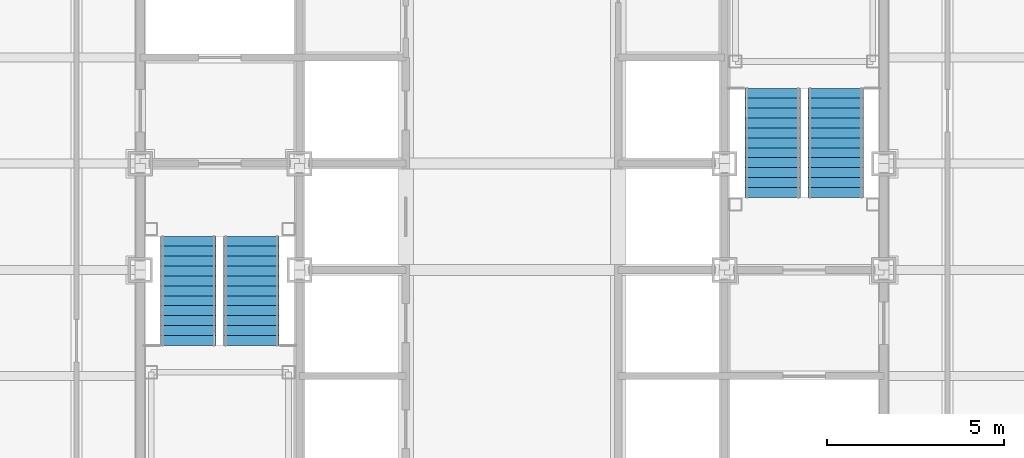
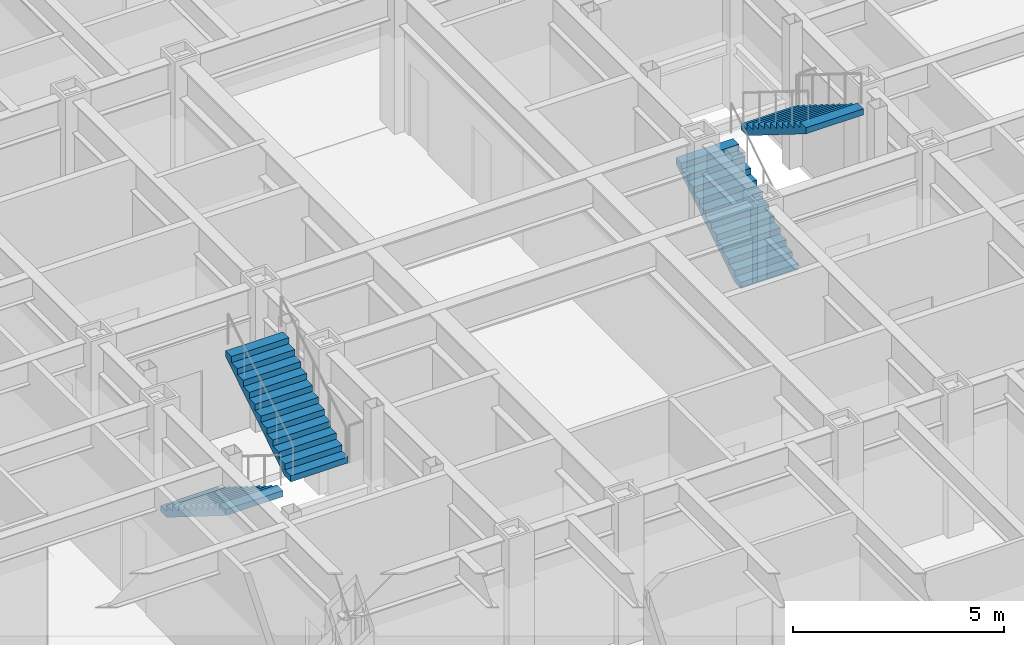
# One storey, part 13 of 16: 4 stair flights, 2 elements without a shape of their own.
"""IFC4 building model written with IfcOpenShell, lengths in metres."""

from ifc_helpers import new_model, si_unit, direction, frame, origin, place, context, subcontext, project, spatial, faceted_brep, material, type_object, element, aggregate, save


model = new_model("IFC4")

# Units and contexts
model_context = context("Model", 3, precision=1e-05, world=origin(), true_north=direction((0.0, 1.0)))
body_context = subcontext(model_context, "Body", "Model", "MODEL_VIEW")
ifc_project = project(units=[si_unit("LENGTHUNIT", "METRE"), si_unit("AREAUNIT", "SQUARE_METRE"), si_unit("VOLUMEUNIT", "CUBIC_METRE"), si_unit("PLANEANGLEUNIT", "RADIAN"), si_unit("MASSUNIT", "GRAM", prefix="KILO")], contexts=[model_context])

# Site, building, storey
site_placement = place(None, origin())
site = spatial("IfcSite", under=ifc_project, at=site_placement, CompositionType="ELEMENT")
building_placement = place(site_placement, origin())
building = spatial("IfcBuilding", under=site, at=building_placement, Name="Chuquiago Exchange Tower", CompositionType="ELEMENT")
storey_placement = place(building_placement, frame((0.0, 0.0, 123.60009765625)))
storey = spatial("IfcBuildingStorey", under=building, at=storey_placement, Name="L26", CompositionType="ELEMENT", Elevation=123.60009765625)

# Stair, stair flights
ifc_material_1 = material(Name="Concrete C30/37, precast", Category="concrete")
stair_type_1 = type_object("IfcStairType", Name="ST1 half-turn stair 4200", PredefinedType="HALF_TURN_STAIR", material=ifc_material_1)
stair_1_placement = place(storey_placement, origin())
stair_1 = element("IfcStair", 1, at=stair_1_placement, inside=storey, type_object=stair_type_1, Name="Stair ST1 L26", PredefinedType="HALF_TURN_STAIR")
ifc_material_2 = material(Name="Concrete C30/37, precast", Category="concrete")
stair_flight_type = type_object("IfcStairFlightType", Name="ST-F flight 1570 for 4200 storey", PredefinedType="STRAIGHT", material=ifc_material_2)
stair_flight_1_placement = place(storey_placement, frame((13.360107421875, 21.949951171875, 0.0), z_axis=(0.0, 0.0, 1.0), x_axis=(0.0, -1.0, 0.0)))
stair_flight_1 = element("IfcStairFlight", 2, at=stair_flight_1_placement, type_object=stair_flight_type, Name="ST1 flight 1", NumberOfRisers=12, NumberOfTreads=11, PredefinedType="STRAIGHT", RiserHeight=0.175, TreadLength=0.28, context=body_context, shape_type="Brep", body=[
    faceted_brep([(0.0, 0.78515625, 0.0), (0.0, 0.78515625, 0.175048828125), (0.280029296875, 0.78515625, 0.175048828125), (0.280029296875, 0.78515625, 0.35009765625), (0.56005859375, 0.78515625, 0.35009765625), (0.56005859375, 0.78515625, 0.52490234375), (0.840087890625, 0.78515625, 0.52490234375), (0.840087890625, 0.78515625, 0.699951171875), (1.1201171875, 0.78515625, 0.699951171875), (1.1201171875, 0.78515625, 0.875), (1.39990234375, 0.78515625, 0.875), (1.39990234375, 0.78515625, 1.050048828125), (1.679931640625, 0.78515625, 1.050048828125), (1.679931640625, 0.78515625, 1.22509765625), (1.9599609375, 0.78515625, 1.22509765625), (1.9599609375, 0.78515625, 1.39990234375), (2.239990234375, 0.78515625, 1.39990234375), (2.239990234375, 0.78515625, 1.574951171875), (2.52001953125, 0.78515625, 1.574951171875), (2.52001953125, 0.78515625, 1.75), (2.800048828125, 0.78515625, 1.75), (2.800048828125, 0.78515625, 1.925048828125), (3.080078125, 0.78515625, 1.925048828125), (3.080078125, 0.78515625, 1.748291015625), (0.28271484375, 0.78515625, 0.0), (0.28271484375, -0.78515625, 0.0), (3.080078125, -0.78515625, 1.748291015625), (3.080078125, -0.78515625, 1.925048828125), (2.800048828125, -0.78515625, 1.925048828125), (2.800048828125, -0.78515625, 1.75), (2.52001953125, -0.78515625, 1.75), (2.52001953125, -0.78515625, 1.574951171875), (2.239990234375, -0.78515625, 1.574951171875), (2.239990234375, -0.78515625, 1.39990234375), (1.9599609375, -0.78515625, 1.39990234375), (1.9599609375, -0.78515625, 1.22509765625), (1.679931640625, -0.78515625, 1.22509765625), (1.679931640625, -0.78515625, 1.050048828125), (1.39990234375, -0.78515625, 1.050048828125), (1.39990234375, -0.78515625, 0.875), (1.1201171875, -0.78515625, 0.875), (1.1201171875, -0.78515625, 0.699951171875), (0.840087890625, -0.78515625, 0.699951171875), (0.840087890625, -0.78515625, 0.52490234375), (0.56005859375, -0.78515625, 0.52490234375), (0.56005859375, -0.78515625, 0.35009765625), (0.280029296875, -0.78515625, 0.35009765625), (0.280029296875, -0.78515625, 0.175048828125), (0.0, -0.78515625, 0.175048828125), (0.0, -0.78515625, 0.0), (0.0, 0.392578125, 0.0), (0.0, 0.392578125, 0.175048828125), (0.0, 0.0, 0.0), (0.0, 0.0, 0.175048828125), (0.0, -0.392578125, 0.0), (0.0, -0.392578125, 0.175048828125), (0.280029296875, 0.392578125, 0.175048828125), (0.280029296875, 0.0, 0.175048828125), (0.280029296875, -0.392578125, 0.175048828125), (0.280029296875, 0.392578125, 0.35009765625), (0.280029296875, 0.0, 0.35009765625), (0.280029296875, -0.392578125, 0.35009765625), (0.56005859375, 0.392578125, 0.35009765625), (0.56005859375, 0.0, 0.35009765625), (0.56005859375, -0.392578125, 0.35009765625), (0.56005859375, 0.392578125, 0.52490234375), (0.56005859375, 0.0, 0.52490234375), (0.56005859375, -0.392578125, 0.52490234375), (0.840087890625, 0.392578125, 0.52490234375), (0.840087890625, 0.0, 0.52490234375), (0.840087890625, -0.392578125, 0.52490234375), (0.840087890625, 0.392578125, 0.699951171875), (0.840087890625, 0.0, 0.699951171875), (0.840087890625, -0.392578125, 0.699951171875), (1.1201171875, 0.392578125, 0.699951171875), (1.1201171875, 0.0, 0.699951171875), (1.1201171875, -0.392578125, 0.699951171875), (1.1201171875, 0.392578125, 0.875), (1.1201171875, 0.0, 0.875), (1.1201171875, -0.392578125, 0.875), (1.39990234375, 0.392578125, 0.875), (1.39990234375, 0.0, 0.875), (1.39990234375, -0.392578125, 0.875), (1.39990234375, 0.392578125, 1.050048828125), (1.39990234375, 0.0, 1.050048828125), (1.39990234375, -0.392578125, 1.050048828125), (1.679931640625, 0.392578125, 1.050048828125), (1.679931640625, 0.0, 1.050048828125), (1.679931640625, -0.392578125, 1.050048828125), (1.679931640625, 0.392578125, 1.22509765625), (1.679931640625, 0.0, 1.22509765625), (1.679931640625, -0.392578125, 1.22509765625), (1.9599609375, 0.392578125, 1.22509765625), (1.9599609375, 0.0, 1.22509765625), (1.9599609375, -0.392578125, 1.22509765625), (1.9599609375, 0.392578125, 1.39990234375), (1.9599609375, 0.0, 1.39990234375), (1.9599609375, -0.392578125, 1.39990234375), (2.239990234375, 0.392578125, 1.39990234375), (2.239990234375, 0.0, 1.39990234375), (2.239990234375, -0.392578125, 1.39990234375), (2.239990234375, 0.392578125, 1.574951171875), (2.239990234375, 0.0, 1.574951171875), (2.239990234375, -0.392578125, 1.574951171875), (2.52001953125, 0.392578125, 1.574951171875), (2.52001953125, 0.0, 1.574951171875), (2.52001953125, -0.392578125, 1.574951171875), (2.52001953125, 0.392578125, 1.75), (2.52001953125, 0.0, 1.75), (2.52001953125, -0.392578125, 1.75), (2.800048828125, 0.392578125, 1.75), (2.800048828125, 0.0, 1.75), (2.800048828125, -0.392578125, 1.75), (2.800048828125, 0.392578125, 1.925048828125), (2.800048828125, 0.0, 1.925048828125), (2.800048828125, -0.392578125, 1.925048828125), (3.080078125, 0.392578125, 1.925048828125), (3.080078125, 0.0, 1.925048828125), (3.080078125, -0.392578125, 1.925048828125), (3.080078125, 0.392578125, 1.748291015625), (3.080078125, 0.0, 1.748291015625), (3.080078125, -0.392578125, 1.748291015625), (0.28271484375, 0.392578125, 0.0), (0.28271484375, 0.0, 0.0), (0.28271484375, -0.392578125, 0.0)], [[[0, 1, 2, 3, 4, 5, 6, 7, 8, 9, 10, 11, 12, 13, 14, 15, 16, 17, 18, 19, 20, 21, 22, 23, 24]], [[25, 26, 27, 28, 29, 30, 31, 32, 33, 34, 35, 36, 37, 38, 39, 40, 41, 42, 43, 44, 45, 46, 47, 48, 49]], [[1, 0, 50, 51]], [[51, 50, 52, 53]], [[53, 52, 54, 55]], [[55, 54, 49, 48]], [[2, 1, 51, 56]], [[56, 51, 53, 57]], [[57, 53, 55, 58]], [[58, 55, 48, 47]], [[3, 2, 56, 59]], [[59, 56, 57, 60]], [[60, 57, 58, 61]], [[61, 58, 47, 46]], [[4, 3, 59, 62]], [[62, 59, 60, 63]], [[63, 60, 61, 64]], [[64, 61, 46, 45]], [[5, 4, 62, 65]], [[65, 62, 63, 66]], [[66, 63, 64, 67]], [[67, 64, 45, 44]], [[6, 5, 65, 68]], [[68, 65, 66, 69]], [[69, 66, 67, 70]], [[70, 67, 44, 43]], [[7, 6, 68, 71]], [[71, 68, 69, 72]], [[72, 69, 70, 73]], [[73, 70, 43, 42]], [[8, 7, 71, 74]], [[74, 71, 72, 75]], [[75, 72, 73, 76]], [[76, 73, 42, 41]], [[9, 8, 74, 77]], [[77, 74, 75, 78]], [[78, 75, 76, 79]], [[79, 76, 41, 40]], [[10, 9, 77, 80]], [[80, 77, 78, 81]], [[81, 78, 79, 82]], [[82, 79, 40, 39]], [[11, 10, 80, 83]], [[83, 80, 81, 84]], [[84, 81, 82, 85]], [[85, 82, 39, 38]], [[12, 11, 83, 86]], [[86, 83, 84, 87]], [[87, 84, 85, 88]], [[88, 85, 38, 37]], [[13, 12, 86, 89]], [[89, 86, 87, 90]], [[90, 87, 88, 91]], [[91, 88, 37, 36]], [[14, 13, 89, 92]], [[92, 89, 90, 93]], [[93, 90, 91, 94]], [[94, 91, 36, 35]], [[15, 14, 92, 95]], [[95, 92, 93, 96]], [[96, 93, 94, 97]], [[97, 94, 35, 34]], [[16, 15, 95, 98]], [[98, 95, 96, 99]], [[99, 96, 97, 100]], [[100, 97, 34, 33]], [[17, 16, 98, 101]], [[101, 98, 99, 102]], [[102, 99, 100, 103]], [[103, 100, 33, 32]], [[18, 17, 101, 104]], [[104, 101, 102, 105]], [[105, 102, 103, 106]], [[106, 103, 32, 31]], [[19, 18, 104, 107]], [[107, 104, 105, 108]], [[108, 105, 106, 109]], [[109, 106, 31, 30]], [[20, 19, 107, 110]], [[110, 107, 108, 111]], [[111, 108, 109, 112]], [[112, 109, 30, 29]], [[21, 20, 110, 113]], [[113, 110, 111, 114]], [[114, 111, 112, 115]], [[115, 112, 29, 28]], [[22, 21, 113, 116]], [[116, 113, 114, 117]], [[117, 114, 115, 118]], [[118, 115, 28, 27]], [[23, 22, 116, 119]], [[119, 116, 117, 120]], [[120, 117, 118, 121]], [[121, 118, 27, 26]], [[24, 23, 119, 122]], [[122, 119, 120, 123]], [[123, 120, 121, 124]], [[124, 121, 26, 25]], [[0, 24, 122, 50]], [[50, 122, 123, 52]], [[52, 123, 124, 54]], [[54, 124, 25, 49]]]),
])
stair_flight_2_placement = place(storey_placement, frame((15.139892578125, 18.8701171875, 2.099853515625), z_axis=(0.0, 0.0, 1.0), x_axis=(0.0, 1.0, 0.0)))
stair_flight_2 = element("IfcStairFlight", 3, at=stair_flight_2_placement, type_object=stair_flight_type, Name="ST1 flight 2", NumberOfRisers=12, NumberOfTreads=11, PredefinedType="STRAIGHT", RiserHeight=0.175, TreadLength=0.28, context=body_context, shape_type="Brep", body=[
    faceted_brep([(0.0, 0.78515625, 0.0), (0.0, 0.78515625, 0.175048828125), (0.280029296875, 0.78515625, 0.175048828125), (0.280029296875, 0.78515625, 0.35009765625), (0.56005859375, 0.78515625, 0.35009765625), (0.56005859375, 0.78515625, 0.52490234375), (0.840087890625, 0.78515625, 0.52490234375), (0.840087890625, 0.78515625, 0.699951171875), (1.1201171875, 0.78515625, 0.699951171875), (1.1201171875, 0.78515625, 0.875), (1.39990234375, 0.78515625, 0.875), (1.39990234375, 0.78515625, 1.050048828125), (1.679931640625, 0.78515625, 1.050048828125), (1.679931640625, 0.78515625, 1.22509765625), (1.9599609375, 0.78515625, 1.22509765625), (1.9599609375, 0.78515625, 1.39990234375), (2.239990234375, 0.78515625, 1.39990234375), (2.239990234375, 0.78515625, 1.574951171875), (2.52001953125, 0.78515625, 1.574951171875), (2.52001953125, 0.78515625, 1.75), (2.800048828125, 0.78515625, 1.75), (2.800048828125, 0.78515625, 1.925048828125), (3.080078125, 0.78515625, 1.925048828125), (3.080078125, 0.78515625, 1.748291015625), (0.28271484375, 0.78515625, 0.0), (0.28271484375, -0.78515625, 0.0), (3.080078125, -0.78515625, 1.748291015625), (3.080078125, -0.78515625, 1.925048828125), (2.800048828125, -0.78515625, 1.925048828125), (2.800048828125, -0.78515625, 1.75), (2.52001953125, -0.78515625, 1.75), (2.52001953125, -0.78515625, 1.574951171875), (2.239990234375, -0.78515625, 1.574951171875), (2.239990234375, -0.78515625, 1.39990234375), (1.9599609375, -0.78515625, 1.39990234375), (1.9599609375, -0.78515625, 1.22509765625), (1.679931640625, -0.78515625, 1.22509765625), (1.679931640625, -0.78515625, 1.050048828125), (1.39990234375, -0.78515625, 1.050048828125), (1.39990234375, -0.78515625, 0.875), (1.1201171875, -0.78515625, 0.875), (1.1201171875, -0.78515625, 0.699951171875), (0.840087890625, -0.78515625, 0.699951171875), (0.840087890625, -0.78515625, 0.52490234375), (0.56005859375, -0.78515625, 0.52490234375), (0.56005859375, -0.78515625, 0.35009765625), (0.280029296875, -0.78515625, 0.35009765625), (0.280029296875, -0.78515625, 0.175048828125), (0.0, -0.78515625, 0.175048828125), (0.0, -0.78515625, 0.0), (0.0, 0.392578125, 0.0), (0.0, 0.392578125, 0.175048828125), (0.0, 0.0, 0.0), (0.0, 0.0, 0.175048828125), (0.0, -0.392578125, 0.0), (0.0, -0.392578125, 0.175048828125), (0.280029296875, 0.392578125, 0.175048828125), (0.280029296875, 0.0, 0.175048828125), (0.280029296875, -0.392578125, 0.175048828125), (0.280029296875, 0.392578125, 0.35009765625), (0.280029296875, 0.0, 0.35009765625), (0.280029296875, -0.392578125, 0.35009765625), (0.56005859375, 0.392578125, 0.35009765625), (0.56005859375, 0.0, 0.35009765625), (0.56005859375, -0.392578125, 0.35009765625), (0.56005859375, 0.392578125, 0.52490234375), (0.56005859375, 0.0, 0.52490234375), (0.56005859375, -0.392578125, 0.52490234375), (0.840087890625, 0.392578125, 0.52490234375), (0.840087890625, 0.0, 0.52490234375), (0.840087890625, -0.392578125, 0.52490234375), (0.840087890625, 0.392578125, 0.699951171875), (0.840087890625, 0.0, 0.699951171875), (0.840087890625, -0.392578125, 0.699951171875), (1.1201171875, 0.392578125, 0.699951171875), (1.1201171875, 0.0, 0.699951171875), (1.1201171875, -0.392578125, 0.699951171875), (1.1201171875, 0.392578125, 0.875), (1.1201171875, 0.0, 0.875), (1.1201171875, -0.392578125, 0.875), (1.39990234375, 0.392578125, 0.875), (1.39990234375, 0.0, 0.875), (1.39990234375, -0.392578125, 0.875), (1.39990234375, 0.392578125, 1.050048828125), (1.39990234375, 0.0, 1.050048828125), (1.39990234375, -0.392578125, 1.050048828125), (1.679931640625, 0.392578125, 1.050048828125), (1.679931640625, 0.0, 1.050048828125), (1.679931640625, -0.392578125, 1.050048828125), (1.679931640625, 0.392578125, 1.22509765625), (1.679931640625, 0.0, 1.22509765625), (1.679931640625, -0.392578125, 1.22509765625), (1.9599609375, 0.392578125, 1.22509765625), (1.9599609375, 0.0, 1.22509765625), (1.9599609375, -0.392578125, 1.22509765625), (1.9599609375, 0.392578125, 1.39990234375), (1.9599609375, 0.0, 1.39990234375), (1.9599609375, -0.392578125, 1.39990234375), (2.239990234375, 0.392578125, 1.39990234375), (2.239990234375, 0.0, 1.39990234375), (2.239990234375, -0.392578125, 1.39990234375), (2.239990234375, 0.392578125, 1.574951171875), (2.239990234375, 0.0, 1.574951171875), (2.239990234375, -0.392578125, 1.574951171875), (2.52001953125, 0.392578125, 1.574951171875), (2.52001953125, 0.0, 1.574951171875), (2.52001953125, -0.392578125, 1.574951171875), (2.52001953125, 0.392578125, 1.75), (2.52001953125, 0.0, 1.75), (2.52001953125, -0.392578125, 1.75), (2.800048828125, 0.392578125, 1.75), (2.800048828125, 0.0, 1.75), (2.800048828125, -0.392578125, 1.75), (2.800048828125, 0.392578125, 1.925048828125), (2.800048828125, 0.0, 1.925048828125), (2.800048828125, -0.392578125, 1.925048828125), (3.080078125, 0.392578125, 1.925048828125), (3.080078125, 0.0, 1.925048828125), (3.080078125, -0.392578125, 1.925048828125), (3.080078125, 0.392578125, 1.748291015625), (3.080078125, 0.0, 1.748291015625), (3.080078125, -0.392578125, 1.748291015625), (0.28271484375, 0.392578125, 0.0), (0.28271484375, 0.0, 0.0), (0.28271484375, -0.392578125, 0.0)], [[[0, 1, 2, 3, 4, 5, 6, 7, 8, 9, 10, 11, 12, 13, 14, 15, 16, 17, 18, 19, 20, 21, 22, 23, 24]], [[25, 26, 27, 28, 29, 30, 31, 32, 33, 34, 35, 36, 37, 38, 39, 40, 41, 42, 43, 44, 45, 46, 47, 48, 49]], [[1, 0, 50, 51]], [[51, 50, 52, 53]], [[53, 52, 54, 55]], [[55, 54, 49, 48]], [[2, 1, 51, 56]], [[56, 51, 53, 57]], [[57, 53, 55, 58]], [[58, 55, 48, 47]], [[3, 2, 56, 59]], [[59, 56, 57, 60]], [[60, 57, 58, 61]], [[61, 58, 47, 46]], [[4, 3, 59, 62]], [[62, 59, 60, 63]], [[63, 60, 61, 64]], [[64, 61, 46, 45]], [[5, 4, 62, 65]], [[65, 62, 63, 66]], [[66, 63, 64, 67]], [[67, 64, 45, 44]], [[6, 5, 65, 68]], [[68, 65, 66, 69]], [[69, 66, 67, 70]], [[70, 67, 44, 43]], [[7, 6, 68, 71]], [[71, 68, 69, 72]], [[72, 69, 70, 73]], [[73, 70, 43, 42]], [[8, 7, 71, 74]], [[74, 71, 72, 75]], [[75, 72, 73, 76]], [[76, 73, 42, 41]], [[9, 8, 74, 77]], [[77, 74, 75, 78]], [[78, 75, 76, 79]], [[79, 76, 41, 40]], [[10, 9, 77, 80]], [[80, 77, 78, 81]], [[81, 78, 79, 82]], [[82, 79, 40, 39]], [[11, 10, 80, 83]], [[83, 80, 81, 84]], [[84, 81, 82, 85]], [[85, 82, 39, 38]], [[12, 11, 83, 86]], [[86, 83, 84, 87]], [[87, 84, 85, 88]], [[88, 85, 38, 37]], [[13, 12, 86, 89]], [[89, 86, 87, 90]], [[90, 87, 88, 91]], [[91, 88, 37, 36]], [[14, 13, 89, 92]], [[92, 89, 90, 93]], [[93, 90, 91, 94]], [[94, 91, 36, 35]], [[15, 14, 92, 95]], [[95, 92, 93, 96]], [[96, 93, 94, 97]], [[97, 94, 35, 34]], [[16, 15, 95, 98]], [[98, 95, 96, 99]], [[99, 96, 97, 100]], [[100, 97, 34, 33]], [[17, 16, 98, 101]], [[101, 98, 99, 102]], [[102, 99, 100, 103]], [[103, 100, 33, 32]], [[18, 17, 101, 104]], [[104, 101, 102, 105]], [[105, 102, 103, 106]], [[106, 103, 32, 31]], [[19, 18, 104, 107]], [[107, 104, 105, 108]], [[108, 105, 106, 109]], [[109, 106, 31, 30]], [[20, 19, 107, 110]], [[110, 107, 108, 111]], [[111, 108, 109, 112]], [[112, 109, 30, 29]], [[21, 20, 110, 113]], [[113, 110, 111, 114]], [[114, 111, 112, 115]], [[115, 112, 29, 28]], [[22, 21, 113, 116]], [[116, 113, 114, 117]], [[117, 114, 115, 118]], [[118, 115, 28, 27]], [[23, 22, 116, 119]], [[119, 116, 117, 120]], [[120, 117, 118, 121]], [[121, 118, 27, 26]], [[24, 23, 119, 122]], [[122, 119, 120, 123]], [[123, 120, 121, 124]], [[124, 121, 26, 25]], [[0, 24, 122, 50]], [[50, 122, 123, 52]], [[52, 123, 124, 54]], [[54, 124, 25, 49]]]),
])
aggregate(stair_1, [stair_flight_1, stair_flight_2])

ifc_material_3 = material(Name="Concrete C30/37, precast", Category="concrete")
stair_type_2 = type_object("IfcStairType", Name="ST2 half-turn stair 4200", PredefinedType="HALF_TURN_STAIR", material=ifc_material_3)
stair_2_placement = place(storey_placement, origin())
stair_2 = element("IfcStair", 4, at=stair_2_placement, inside=storey, type_object=stair_type_2, Name="Stair ST2 L26", PredefinedType="HALF_TURN_STAIR")
stair_flight_3_placement = place(storey_placement, frame((29.860107421875, 23.050048828125, 0.0), z_axis=(0.0, 0.0, 1.0), x_axis=(0.0, 1.0, 0.0)))
stair_flight_3 = element("IfcStairFlight", 5, at=stair_flight_3_placement, type_object=stair_flight_type, Name="ST2 flight 1", NumberOfRisers=12, NumberOfTreads=11, PredefinedType="STRAIGHT", RiserHeight=0.175, TreadLength=0.28, context=body_context, shape_type="Brep", body=[
    faceted_brep([(0.0, 0.78515625, 0.0), (0.0, 0.78515625, 0.175048828125), (0.280029296875, 0.78515625, 0.175048828125), (0.280029296875, 0.78515625, 0.35009765625), (0.56005859375, 0.78515625, 0.35009765625), (0.56005859375, 0.78515625, 0.52490234375), (0.840087890625, 0.78515625, 0.52490234375), (0.840087890625, 0.78515625, 0.699951171875), (1.1201171875, 0.78515625, 0.699951171875), (1.1201171875, 0.78515625, 0.875), (1.39990234375, 0.78515625, 0.875), (1.39990234375, 0.78515625, 1.050048828125), (1.679931640625, 0.78515625, 1.050048828125), (1.679931640625, 0.78515625, 1.22509765625), (1.9599609375, 0.78515625, 1.22509765625), (1.9599609375, 0.78515625, 1.39990234375), (2.239990234375, 0.78515625, 1.39990234375), (2.239990234375, 0.78515625, 1.574951171875), (2.52001953125, 0.78515625, 1.574951171875), (2.52001953125, 0.78515625, 1.75), (2.800048828125, 0.78515625, 1.75), (2.800048828125, 0.78515625, 1.925048828125), (3.080078125, 0.78515625, 1.925048828125), (3.080078125, 0.78515625, 1.748291015625), (0.28271484375, 0.78515625, 0.0), (0.28271484375, -0.78515625, 0.0), (3.080078125, -0.78515625, 1.748291015625), (3.080078125, -0.78515625, 1.925048828125), (2.800048828125, -0.78515625, 1.925048828125), (2.800048828125, -0.78515625, 1.75), (2.52001953125, -0.78515625, 1.75), (2.52001953125, -0.78515625, 1.574951171875), (2.239990234375, -0.78515625, 1.574951171875), (2.239990234375, -0.78515625, 1.39990234375), (1.9599609375, -0.78515625, 1.39990234375), (1.9599609375, -0.78515625, 1.22509765625), (1.679931640625, -0.78515625, 1.22509765625), (1.679931640625, -0.78515625, 1.050048828125), (1.39990234375, -0.78515625, 1.050048828125), (1.39990234375, -0.78515625, 0.875), (1.1201171875, -0.78515625, 0.875), (1.1201171875, -0.78515625, 0.699951171875), (0.840087890625, -0.78515625, 0.699951171875), (0.840087890625, -0.78515625, 0.52490234375), (0.56005859375, -0.78515625, 0.52490234375), (0.56005859375, -0.78515625, 0.35009765625), (0.280029296875, -0.78515625, 0.35009765625), (0.280029296875, -0.78515625, 0.175048828125), (0.0, -0.78515625, 0.175048828125), (0.0, -0.78515625, 0.0), (0.0, 0.392578125, 0.0), (0.0, 0.392578125, 0.175048828125), (0.0, 0.0, 0.0), (0.0, 0.0, 0.175048828125), (0.0, -0.392578125, 0.0), (0.0, -0.392578125, 0.175048828125), (0.280029296875, 0.392578125, 0.175048828125), (0.280029296875, 0.0, 0.175048828125), (0.280029296875, -0.392578125, 0.175048828125), (0.280029296875, 0.392578125, 0.35009765625), (0.280029296875, 0.0, 0.35009765625), (0.280029296875, -0.392578125, 0.35009765625), (0.56005859375, 0.392578125, 0.35009765625), (0.56005859375, 0.0, 0.35009765625), (0.56005859375, -0.392578125, 0.35009765625), (0.56005859375, 0.392578125, 0.52490234375), (0.56005859375, 0.0, 0.52490234375), (0.56005859375, -0.392578125, 0.52490234375), (0.840087890625, 0.392578125, 0.52490234375), (0.840087890625, 0.0, 0.52490234375), (0.840087890625, -0.392578125, 0.52490234375), (0.840087890625, 0.392578125, 0.699951171875), (0.840087890625, 0.0, 0.699951171875), (0.840087890625, -0.392578125, 0.699951171875), (1.1201171875, 0.392578125, 0.699951171875), (1.1201171875, 0.0, 0.699951171875), (1.1201171875, -0.392578125, 0.699951171875), (1.1201171875, 0.392578125, 0.875), (1.1201171875, 0.0, 0.875), (1.1201171875, -0.392578125, 0.875), (1.39990234375, 0.392578125, 0.875), (1.39990234375, 0.0, 0.875), (1.39990234375, -0.392578125, 0.875), (1.39990234375, 0.392578125, 1.050048828125), (1.39990234375, 0.0, 1.050048828125), (1.39990234375, -0.392578125, 1.050048828125), (1.679931640625, 0.392578125, 1.050048828125), (1.679931640625, 0.0, 1.050048828125), (1.679931640625, -0.392578125, 1.050048828125), (1.679931640625, 0.392578125, 1.22509765625), (1.679931640625, 0.0, 1.22509765625), (1.679931640625, -0.392578125, 1.22509765625), (1.9599609375, 0.392578125, 1.22509765625), (1.9599609375, 0.0, 1.22509765625), (1.9599609375, -0.392578125, 1.22509765625), (1.9599609375, 0.392578125, 1.39990234375), (1.9599609375, 0.0, 1.39990234375), (1.9599609375, -0.392578125, 1.39990234375), (2.239990234375, 0.392578125, 1.39990234375), (2.239990234375, 0.0, 1.39990234375), (2.239990234375, -0.392578125, 1.39990234375), (2.239990234375, 0.392578125, 1.574951171875), (2.239990234375, 0.0, 1.574951171875), (2.239990234375, -0.392578125, 1.574951171875), (2.52001953125, 0.392578125, 1.574951171875), (2.52001953125, 0.0, 1.574951171875), (2.52001953125, -0.392578125, 1.574951171875), (2.52001953125, 0.392578125, 1.75), (2.52001953125, 0.0, 1.75), (2.52001953125, -0.392578125, 1.75), (2.800048828125, 0.392578125, 1.75), (2.800048828125, 0.0, 1.75), (2.800048828125, -0.392578125, 1.75), (2.800048828125, 0.392578125, 1.925048828125), (2.800048828125, 0.0, 1.925048828125), (2.800048828125, -0.392578125, 1.925048828125), (3.080078125, 0.392578125, 1.925048828125), (3.080078125, 0.0, 1.925048828125), (3.080078125, -0.392578125, 1.925048828125), (3.080078125, 0.392578125, 1.748291015625), (3.080078125, 0.0, 1.748291015625), (3.080078125, -0.392578125, 1.748291015625), (0.28271484375, 0.392578125, 0.0), (0.28271484375, 0.0, 0.0), (0.28271484375, -0.392578125, 0.0)], [[[0, 1, 2, 3, 4, 5, 6, 7, 8, 9, 10, 11, 12, 13, 14, 15, 16, 17, 18, 19, 20, 21, 22, 23, 24]], [[25, 26, 27, 28, 29, 30, 31, 32, 33, 34, 35, 36, 37, 38, 39, 40, 41, 42, 43, 44, 45, 46, 47, 48, 49]], [[1, 0, 50, 51]], [[51, 50, 52, 53]], [[53, 52, 54, 55]], [[55, 54, 49, 48]], [[2, 1, 51, 56]], [[56, 51, 53, 57]], [[57, 53, 55, 58]], [[58, 55, 48, 47]], [[3, 2, 56, 59]], [[59, 56, 57, 60]], [[60, 57, 58, 61]], [[61, 58, 47, 46]], [[4, 3, 59, 62]], [[62, 59, 60, 63]], [[63, 60, 61, 64]], [[64, 61, 46, 45]], [[5, 4, 62, 65]], [[65, 62, 63, 66]], [[66, 63, 64, 67]], [[67, 64, 45, 44]], [[6, 5, 65, 68]], [[68, 65, 66, 69]], [[69, 66, 67, 70]], [[70, 67, 44, 43]], [[7, 6, 68, 71]], [[71, 68, 69, 72]], [[72, 69, 70, 73]], [[73, 70, 43, 42]], [[8, 7, 71, 74]], [[74, 71, 72, 75]], [[75, 72, 73, 76]], [[76, 73, 42, 41]], [[9, 8, 74, 77]], [[77, 74, 75, 78]], [[78, 75, 76, 79]], [[79, 76, 41, 40]], [[10, 9, 77, 80]], [[80, 77, 78, 81]], [[81, 78, 79, 82]], [[82, 79, 40, 39]], [[11, 10, 80, 83]], [[83, 80, 81, 84]], [[84, 81, 82, 85]], [[85, 82, 39, 38]], [[12, 11, 83, 86]], [[86, 83, 84, 87]], [[87, 84, 85, 88]], [[88, 85, 38, 37]], [[13, 12, 86, 89]], [[89, 86, 87, 90]], [[90, 87, 88, 91]], [[91, 88, 37, 36]], [[14, 13, 89, 92]], [[92, 89, 90, 93]], [[93, 90, 91, 94]], [[94, 91, 36, 35]], [[15, 14, 92, 95]], [[95, 92, 93, 96]], [[96, 93, 94, 97]], [[97, 94, 35, 34]], [[16, 15, 95, 98]], [[98, 95, 96, 99]], [[99, 96, 97, 100]], [[100, 97, 34, 33]], [[17, 16, 98, 101]], [[101, 98, 99, 102]], [[102, 99, 100, 103]], [[103, 100, 33, 32]], [[18, 17, 101, 104]], [[104, 101, 102, 105]], [[105, 102, 103, 106]], [[106, 103, 32, 31]], [[19, 18, 104, 107]], [[107, 104, 105, 108]], [[108, 105, 106, 109]], [[109, 106, 31, 30]], [[20, 19, 107, 110]], [[110, 107, 108, 111]], [[111, 108, 109, 112]], [[112, 109, 30, 29]], [[21, 20, 110, 113]], [[113, 110, 111, 114]], [[114, 111, 112, 115]], [[115, 112, 29, 28]], [[22, 21, 113, 116]], [[116, 113, 114, 117]], [[117, 114, 115, 118]], [[118, 115, 28, 27]], [[23, 22, 116, 119]], [[119, 116, 117, 120]], [[120, 117, 118, 121]], [[121, 118, 27, 26]], [[24, 23, 119, 122]], [[122, 119, 120, 123]], [[123, 120, 121, 124]], [[124, 121, 26, 25]], [[0, 24, 122, 50]], [[50, 122, 123, 52]], [[52, 123, 124, 54]], [[54, 124, 25, 49]]]),
])
stair_flight_4_placement = place(storey_placement, frame((31.639892578125, 26.1298828125, 2.099853515625), z_axis=(0.0, 0.0, 1.0), x_axis=(0.0, -1.0, 0.0)))
stair_flight_4 = element("IfcStairFlight", 6, at=stair_flight_4_placement, type_object=stair_flight_type, Name="ST2 flight 2", NumberOfRisers=12, NumberOfTreads=11, PredefinedType="STRAIGHT", RiserHeight=0.175, TreadLength=0.28, context=body_context, shape_type="Brep", body=[
    faceted_brep([(0.0, 0.78515625, 0.0), (0.0, 0.78515625, 0.175048828125), (0.280029296875, 0.78515625, 0.175048828125), (0.280029296875, 0.78515625, 0.35009765625), (0.56005859375, 0.78515625, 0.35009765625), (0.56005859375, 0.78515625, 0.52490234375), (0.840087890625, 0.78515625, 0.52490234375), (0.840087890625, 0.78515625, 0.699951171875), (1.1201171875, 0.78515625, 0.699951171875), (1.1201171875, 0.78515625, 0.875), (1.39990234375, 0.78515625, 0.875), (1.39990234375, 0.78515625, 1.050048828125), (1.679931640625, 0.78515625, 1.050048828125), (1.679931640625, 0.78515625, 1.22509765625), (1.9599609375, 0.78515625, 1.22509765625), (1.9599609375, 0.78515625, 1.39990234375), (2.239990234375, 0.78515625, 1.39990234375), (2.239990234375, 0.78515625, 1.574951171875), (2.52001953125, 0.78515625, 1.574951171875), (2.52001953125, 0.78515625, 1.75), (2.800048828125, 0.78515625, 1.75), (2.800048828125, 0.78515625, 1.925048828125), (3.080078125, 0.78515625, 1.925048828125), (3.080078125, 0.78515625, 1.748291015625), (0.28271484375, 0.78515625, 0.0), (0.28271484375, -0.78515625, 0.0), (3.080078125, -0.78515625, 1.748291015625), (3.080078125, -0.78515625, 1.925048828125), (2.800048828125, -0.78515625, 1.925048828125), (2.800048828125, -0.78515625, 1.75), (2.52001953125, -0.78515625, 1.75), (2.52001953125, -0.78515625, 1.574951171875), (2.239990234375, -0.78515625, 1.574951171875), (2.239990234375, -0.78515625, 1.39990234375), (1.9599609375, -0.78515625, 1.39990234375), (1.9599609375, -0.78515625, 1.22509765625), (1.679931640625, -0.78515625, 1.22509765625), (1.679931640625, -0.78515625, 1.050048828125), (1.39990234375, -0.78515625, 1.050048828125), (1.39990234375, -0.78515625, 0.875), (1.1201171875, -0.78515625, 0.875), (1.1201171875, -0.78515625, 0.699951171875), (0.840087890625, -0.78515625, 0.699951171875), (0.840087890625, -0.78515625, 0.52490234375), (0.56005859375, -0.78515625, 0.52490234375), (0.56005859375, -0.78515625, 0.35009765625), (0.280029296875, -0.78515625, 0.35009765625), (0.280029296875, -0.78515625, 0.175048828125), (0.0, -0.78515625, 0.175048828125), (0.0, -0.78515625, 0.0), (0.0, 0.392578125, 0.0), (0.0, 0.392578125, 0.175048828125), (0.0, 0.0, 0.0), (0.0, 0.0, 0.175048828125), (0.0, -0.392578125, 0.0), (0.0, -0.392578125, 0.175048828125), (0.280029296875, 0.392578125, 0.175048828125), (0.280029296875, 0.0, 0.175048828125), (0.280029296875, -0.392578125, 0.175048828125), (0.280029296875, 0.392578125, 0.35009765625), (0.280029296875, 0.0, 0.35009765625), (0.280029296875, -0.392578125, 0.35009765625), (0.56005859375, 0.392578125, 0.35009765625), (0.56005859375, 0.0, 0.35009765625), (0.56005859375, -0.392578125, 0.35009765625), (0.56005859375, 0.392578125, 0.52490234375), (0.56005859375, 0.0, 0.52490234375), (0.56005859375, -0.392578125, 0.52490234375), (0.840087890625, 0.392578125, 0.52490234375), (0.840087890625, 0.0, 0.52490234375), (0.840087890625, -0.392578125, 0.52490234375), (0.840087890625, 0.392578125, 0.699951171875), (0.840087890625, 0.0, 0.699951171875), (0.840087890625, -0.392578125, 0.699951171875), (1.1201171875, 0.392578125, 0.699951171875), (1.1201171875, 0.0, 0.699951171875), (1.1201171875, -0.392578125, 0.699951171875), (1.1201171875, 0.392578125, 0.875), (1.1201171875, 0.0, 0.875), (1.1201171875, -0.392578125, 0.875), (1.39990234375, 0.392578125, 0.875), (1.39990234375, 0.0, 0.875), (1.39990234375, -0.392578125, 0.875), (1.39990234375, 0.392578125, 1.050048828125), (1.39990234375, 0.0, 1.050048828125), (1.39990234375, -0.392578125, 1.050048828125), (1.679931640625, 0.392578125, 1.050048828125), (1.679931640625, 0.0, 1.050048828125), (1.679931640625, -0.392578125, 1.050048828125), (1.679931640625, 0.392578125, 1.22509765625), (1.679931640625, 0.0, 1.22509765625), (1.679931640625, -0.392578125, 1.22509765625), (1.9599609375, 0.392578125, 1.22509765625), (1.9599609375, 0.0, 1.22509765625), (1.9599609375, -0.392578125, 1.22509765625), (1.9599609375, 0.392578125, 1.39990234375), (1.9599609375, 0.0, 1.39990234375), (1.9599609375, -0.392578125, 1.39990234375), (2.239990234375, 0.392578125, 1.39990234375), (2.239990234375, 0.0, 1.39990234375), (2.239990234375, -0.392578125, 1.39990234375), (2.239990234375, 0.392578125, 1.574951171875), (2.239990234375, 0.0, 1.574951171875), (2.239990234375, -0.392578125, 1.574951171875), (2.52001953125, 0.392578125, 1.574951171875), (2.52001953125, 0.0, 1.574951171875), (2.52001953125, -0.392578125, 1.574951171875), (2.52001953125, 0.392578125, 1.75), (2.52001953125, 0.0, 1.75), (2.52001953125, -0.392578125, 1.75), (2.800048828125, 0.392578125, 1.75), (2.800048828125, 0.0, 1.75), (2.800048828125, -0.392578125, 1.75), (2.800048828125, 0.392578125, 1.925048828125), (2.800048828125, 0.0, 1.925048828125), (2.800048828125, -0.392578125, 1.925048828125), (3.080078125, 0.392578125, 1.925048828125), (3.080078125, 0.0, 1.925048828125), (3.080078125, -0.392578125, 1.925048828125), (3.080078125, 0.392578125, 1.748291015625), (3.080078125, 0.0, 1.748291015625), (3.080078125, -0.392578125, 1.748291015625), (0.28271484375, 0.392578125, 0.0), (0.28271484375, 0.0, 0.0), (0.28271484375, -0.392578125, 0.0)], [[[0, 1, 2, 3, 4, 5, 6, 7, 8, 9, 10, 11, 12, 13, 14, 15, 16, 17, 18, 19, 20, 21, 22, 23, 24]], [[25, 26, 27, 28, 29, 30, 31, 32, 33, 34, 35, 36, 37, 38, 39, 40, 41, 42, 43, 44, 45, 46, 47, 48, 49]], [[1, 0, 50, 51]], [[51, 50, 52, 53]], [[53, 52, 54, 55]], [[55, 54, 49, 48]], [[2, 1, 51, 56]], [[56, 51, 53, 57]], [[57, 53, 55, 58]], [[58, 55, 48, 47]], [[3, 2, 56, 59]], [[59, 56, 57, 60]], [[60, 57, 58, 61]], [[61, 58, 47, 46]], [[4, 3, 59, 62]], [[62, 59, 60, 63]], [[63, 60, 61, 64]], [[64, 61, 46, 45]], [[5, 4, 62, 65]], [[65, 62, 63, 66]], [[66, 63, 64, 67]], [[67, 64, 45, 44]], [[6, 5, 65, 68]], [[68, 65, 66, 69]], [[69, 66, 67, 70]], [[70, 67, 44, 43]], [[7, 6, 68, 71]], [[71, 68, 69, 72]], [[72, 69, 70, 73]], [[73, 70, 43, 42]], [[8, 7, 71, 74]], [[74, 71, 72, 75]], [[75, 72, 73, 76]], [[76, 73, 42, 41]], [[9, 8, 74, 77]], [[77, 74, 75, 78]], [[78, 75, 76, 79]], [[79, 76, 41, 40]], [[10, 9, 77, 80]], [[80, 77, 78, 81]], [[81, 78, 79, 82]], [[82, 79, 40, 39]], [[11, 10, 80, 83]], [[83, 80, 81, 84]], [[84, 81, 82, 85]], [[85, 82, 39, 38]], [[12, 11, 83, 86]], [[86, 83, 84, 87]], [[87, 84, 85, 88]], [[88, 85, 38, 37]], [[13, 12, 86, 89]], [[89, 86, 87, 90]], [[90, 87, 88, 91]], [[91, 88, 37, 36]], [[14, 13, 89, 92]], [[92, 89, 90, 93]], [[93, 90, 91, 94]], [[94, 91, 36, 35]], [[15, 14, 92, 95]], [[95, 92, 93, 96]], [[96, 93, 94, 97]], [[97, 94, 35, 34]], [[16, 15, 95, 98]], [[98, 95, 96, 99]], [[99, 96, 97, 100]], [[100, 97, 34, 33]], [[17, 16, 98, 101]], [[101, 98, 99, 102]], [[102, 99, 100, 103]], [[103, 100, 33, 32]], [[18, 17, 101, 104]], [[104, 101, 102, 105]], [[105, 102, 103, 106]], [[106, 103, 32, 31]], [[19, 18, 104, 107]], [[107, 104, 105, 108]], [[108, 105, 106, 109]], [[109, 106, 31, 30]], [[20, 19, 107, 110]], [[110, 107, 108, 111]], [[111, 108, 109, 112]], [[112, 109, 30, 29]], [[21, 20, 110, 113]], [[113, 110, 111, 114]], [[114, 111, 112, 115]], [[115, 112, 29, 28]], [[22, 21, 113, 116]], [[116, 113, 114, 117]], [[117, 114, 115, 118]], [[118, 115, 28, 27]], [[23, 22, 116, 119]], [[119, 116, 117, 120]], [[120, 117, 118, 121]], [[121, 118, 27, 26]], [[24, 23, 119, 122]], [[122, 119, 120, 123]], [[123, 120, 121, 124]], [[124, 121, 26, 25]], [[0, 24, 122, 50]], [[50, 122, 123, 52]], [[52, 123, 124, 54]], [[54, 124, 25, 49]]]),
])
aggregate(stair_2, [stair_flight_3, stair_flight_4])

save(model, "model.ifc")
